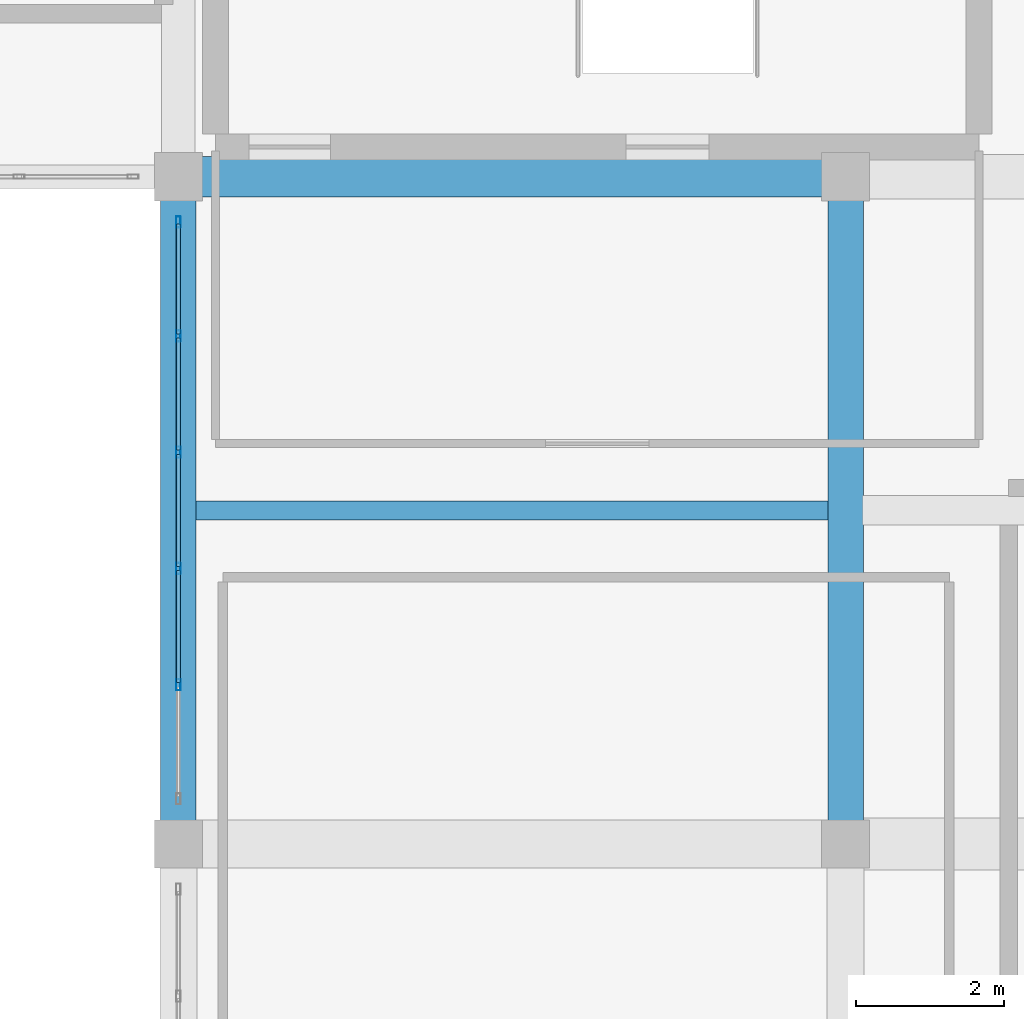
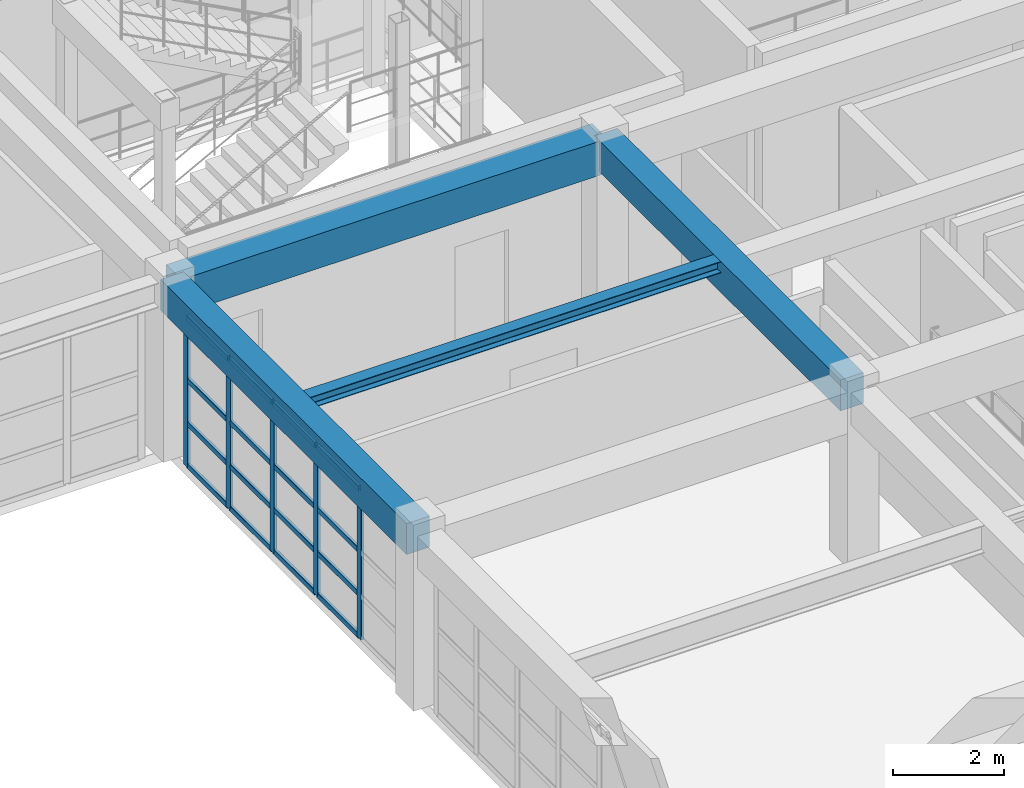
# One storey, part 69 of 110: 21 members, 4 beams, 1 element without a shape of its own.
"""IFC4 building model written with IfcOpenShell, lengths in metres."""

from ifc_helpers import new_model, si_unit, direction, frame, origin, origin_2d, place, context, subcontext, project, spatial, rectangle, hollow_rectangle, i_section, extrude, material, material_profile, profile_set, type_object, element, aggregate, save


model = new_model("IFC4")

# Units and contexts
model_context = context("Model", 3, precision=1e-05, world=origin(), true_north=direction((0.0, 1.0)))
body_context = subcontext(model_context, "Body", "Model", "MODEL_VIEW")
ifc_project = project(units=[si_unit("LENGTHUNIT", "METRE"), si_unit("AREAUNIT", "SQUARE_METRE"), si_unit("VOLUMEUNIT", "CUBIC_METRE"), si_unit("PLANEANGLEUNIT", "RADIAN"), si_unit("MASSUNIT", "GRAM", prefix="KILO")], contexts=[model_context])

# Site, building, storey
site_placement = place(None, origin())
site = spatial("IfcSite", under=ifc_project, at=site_placement, CompositionType="ELEMENT")
building_placement = place(site_placement, origin())
building = spatial("IfcBuilding", under=site, at=building_placement, Name="Miravela Opera House", CompositionType="ELEMENT")
storey_placement = place(building_placement, frame((0.0, 0.0, 13.60009765625)))
storey = spatial("IfcBuildingStorey", under=building, at=storey_placement, Name="L03", CompositionType="ELEMENT", Elevation=13.60009765625)

# Curtain wall, members
ifc_material_1 = material(Name="Anodised architectural bronze aluminium 6063-T6", Category="aluminium")
curtain_wall_type = type_object("IfcCurtainWallType", Name="ARC-CW-05", PredefinedType="NOTDEFINED", material=ifc_material_1)
curtain_wall_placement = place(storey_placement, origin())
curtain_wall = element("IfcCurtainWall", 1, at=curtain_wall_placement, inside=storey, type_object=curtain_wall_type, Name="Courtyard Arcade Curtain Wall CW-L03-112", PredefinedType="NOTDEFINED")
ifc_material_profile_1 = material_profile(ifc_material_1, hollow_rectangle(XDim=0.06005859375, YDim=0.14990234375, WallThickness=0.00390625, InnerFilletRadius=0.001953125, OuterFilletRadius=0.00390625, at=origin_2d()), Name="CWM-60X150")
ifc_profile_set_1 = profile_set([ifc_material_profile_1])
member_type_1 = type_object("IfcMemberType", Name="ARC-CWM-150", PredefinedType="MULLION", material=ifc_profile_set_1)
member_1_placement = place(storey_placement, frame((63.0, 96.14794921875, 0.0), z_axis=(0.0, 0.0, 1.0), x_axis=(-1.0, 0.0, 0.0)))
member_1 = element("IfcMember", 2, at=member_1_placement, type_object=member_type_1, Name="CW-05 mullion 2", PredefinedType="MULLION", context=body_context, shape_type="SweptSolid", body=[
    extrude(hollow_rectangle(XDim=0.06005859375, YDim=0.14990234375, WallThickness=0.00390625, InnerFilletRadius=0.001953125, OuterFilletRadius=0.00390625, at=origin_2d()), origin(), (0.0, 0.0, 1.0), 3.289794921875),
])
member_2_placement = place(storey_placement, frame((63.0, 97.716064453125, 0.0), z_axis=(0.0, 0.0, 1.0), x_axis=(-1.0, 0.0, 0.0)))
member_2 = element("IfcMember", 3, at=member_2_placement, type_object=member_type_1, Name="CW-05 mullion 3", PredefinedType="MULLION", context=body_context, shape_type="SweptSolid", body=[
    extrude(hollow_rectangle(XDim=0.06005859375, YDim=0.14990234375, WallThickness=0.00390625, InnerFilletRadius=0.001953125, OuterFilletRadius=0.00390625, at=origin_2d()), origin(), (0.0, 0.0, 1.0), 3.289794921875),
])
member_3_placement = place(storey_placement, frame((63.0, 99.283935546875, 0.0), z_axis=(0.0, 0.0, 1.0), x_axis=(-1.0, 0.0, 0.0)))
member_3 = element("IfcMember", 4, at=member_3_placement, type_object=member_type_1, Name="CW-05 mullion 4", PredefinedType="MULLION", context=body_context, shape_type="SweptSolid", body=[
    extrude(hollow_rectangle(XDim=0.06005859375, YDim=0.14990234375, WallThickness=0.00390625, InnerFilletRadius=0.001953125, OuterFilletRadius=0.00390625, at=origin_2d()), origin(), (0.0, 0.0, 1.0), 3.289794921875),
])
member_4_placement = place(storey_placement, frame((63.0, 100.85205078125, 0.0), z_axis=(0.0, 0.0, 1.0), x_axis=(-1.0, 0.0, 0.0)))
member_4 = element("IfcMember", 5, at=member_4_placement, type_object=member_type_1, Name="CW-05 mullion 5", PredefinedType="MULLION", context=body_context, shape_type="SweptSolid", body=[
    extrude(hollow_rectangle(XDim=0.06005859375, YDim=0.14990234375, WallThickness=0.00390625, InnerFilletRadius=0.001953125, OuterFilletRadius=0.00390625, at=origin_2d()), origin(), (0.0, 0.0, 1.0), 3.289794921875),
])
member_5_placement = place(storey_placement, frame((63.0, 102.389892578125, 0.0), z_axis=(0.0, 0.0, 1.0), x_axis=(-1.0, 0.0, 0.0)))
member_5 = element("IfcMember", 6, at=member_5_placement, type_object=member_type_1, Name="CW-05 mullion 6", PredefinedType="MULLION", context=body_context, shape_type="SweptSolid", body=[
    extrude(hollow_rectangle(XDim=0.06005859375, YDim=0.14990234375, WallThickness=0.00390625, InnerFilletRadius=0.001953125, OuterFilletRadius=0.00390625, at=origin_2d()), origin(), (0.0, 0.0, 1.0), 3.289794921875),
])
ifc_material_profile_2 = material_profile(ifc_material_1, hollow_rectangle(XDim=0.06005859375, YDim=0.114990234375, WallThickness=0.00390625, InnerFilletRadius=0.001953125, OuterFilletRadius=0.00390625, at=origin_2d()), Name="CWT-60X115")
ifc_profile_set_2 = profile_set([ifc_material_profile_2])
member_type_2 = type_object("IfcMemberType", Name="ARC-CWT-115", PredefinedType="USERDEFINED", material=ifc_profile_set_2)
member_6_placement = place(storey_placement, frame((63.0, 96.177978515625, 0.02978515625), z_axis=(0.0, 1.0, 0.0), x_axis=(-1.0, 0.0, 0.0)))
member_6 = element("IfcMember", 7, at=member_6_placement, type_object=member_type_2, Name="CW-05 transom 2.1", ObjectType="TRANSOM", PredefinedType="USERDEFINED", context=body_context, shape_type="SweptSolid", body=[
    extrude(hollow_rectangle(XDim=0.06005859375, YDim=0.114990234375, WallThickness=0.00390625, InnerFilletRadius=0.001953125, OuterFilletRadius=0.00390625, at=origin_2d()), origin(), (0.0, 0.0, 1.0), 1.508056640625),
])
member_7_placement = place(storey_placement, frame((63.0, 96.177978515625, 0.949951171875), z_axis=(0.0, 1.0, 0.0), x_axis=(-1.0, 0.0, 0.0)))
member_7 = element("IfcMember", 8, at=member_7_placement, type_object=member_type_2, Name="CW-05 transom 2.2", ObjectType="TRANSOM", PredefinedType="USERDEFINED", context=body_context, shape_type="SweptSolid", body=[
    extrude(hollow_rectangle(XDim=0.06005859375, YDim=0.114990234375, WallThickness=0.00390625, InnerFilletRadius=0.001953125, OuterFilletRadius=0.00390625, at=origin_2d()), origin(), (0.0, 0.0, 1.0), 1.508056640625),
])
member_8_placement = place(storey_placement, frame((63.0, 96.177978515625, 1.908203125), z_axis=(0.0, 1.0, 0.0), x_axis=(-1.0, 0.0, 0.0)))
member_8 = element("IfcMember", 9, at=member_8_placement, type_object=member_type_2, Name="CW-05 transom 2.3", ObjectType="TRANSOM", PredefinedType="USERDEFINED", context=body_context, shape_type="SweptSolid", body=[
    extrude(hollow_rectangle(XDim=0.06005859375, YDim=0.114990234375, WallThickness=0.00390625, InnerFilletRadius=0.001953125, OuterFilletRadius=0.00390625, at=origin_2d()), origin(), (0.0, 0.0, 1.0), 1.508056640625),
])
member_9_placement = place(storey_placement, frame((63.0, 96.177978515625, 3.260009765625), z_axis=(0.0, 1.0, 0.0), x_axis=(-1.0, 0.0, 0.0)))
member_9 = element("IfcMember", 10, at=member_9_placement, type_object=member_type_2, Name="CW-05 transom 2.4", ObjectType="TRANSOM", PredefinedType="USERDEFINED", context=body_context, shape_type="SweptSolid", body=[
    extrude(hollow_rectangle(XDim=0.06005859375, YDim=0.114990234375, WallThickness=0.00390625, InnerFilletRadius=0.001953125, OuterFilletRadius=0.00390625, at=origin_2d()), origin(), (0.0, 0.0, 1.0), 1.508056640625),
])
member_10_placement = place(storey_placement, frame((63.0, 97.74609375, 0.02978515625), z_axis=(0.0, 1.0, 0.0), x_axis=(-1.0, 0.0, 0.0)))
member_10 = element("IfcMember", 11, at=member_10_placement, type_object=member_type_2, Name="CW-05 transom 3.1", ObjectType="TRANSOM", PredefinedType="USERDEFINED", context=body_context, shape_type="SweptSolid", body=[
    extrude(hollow_rectangle(XDim=0.06005859375, YDim=0.114990234375, WallThickness=0.00390625, InnerFilletRadius=0.001953125, OuterFilletRadius=0.00390625, at=origin_2d()), origin(), (0.0, 0.0, 1.0), 1.5078125),
])
member_11_placement = place(storey_placement, frame((63.0, 97.74609375, 0.949951171875), z_axis=(0.0, 1.0, 0.0), x_axis=(-1.0, 0.0, 0.0)))
member_11 = element("IfcMember", 12, at=member_11_placement, type_object=member_type_2, Name="CW-05 transom 3.2", ObjectType="TRANSOM", PredefinedType="USERDEFINED", context=body_context, shape_type="SweptSolid", body=[
    extrude(hollow_rectangle(XDim=0.06005859375, YDim=0.114990234375, WallThickness=0.00390625, InnerFilletRadius=0.001953125, OuterFilletRadius=0.00390625, at=origin_2d()), origin(), (0.0, 0.0, 1.0), 1.5078125),
])
member_12_placement = place(storey_placement, frame((63.0, 97.74609375, 1.908203125), z_axis=(0.0, 1.0, 0.0), x_axis=(-1.0, 0.0, 0.0)))
member_12 = element("IfcMember", 13, at=member_12_placement, type_object=member_type_2, Name="CW-05 transom 3.3", ObjectType="TRANSOM", PredefinedType="USERDEFINED", context=body_context, shape_type="SweptSolid", body=[
    extrude(hollow_rectangle(XDim=0.06005859375, YDim=0.114990234375, WallThickness=0.00390625, InnerFilletRadius=0.001953125, OuterFilletRadius=0.00390625, at=origin_2d()), origin(), (0.0, 0.0, 1.0), 1.5078125),
])
member_13_placement = place(storey_placement, frame((63.0, 97.74609375, 3.260009765625), z_axis=(0.0, 1.0, 0.0), x_axis=(-1.0, 0.0, 0.0)))
member_13 = element("IfcMember", 14, at=member_13_placement, type_object=member_type_2, Name="CW-05 transom 3.4", ObjectType="TRANSOM", PredefinedType="USERDEFINED", context=body_context, shape_type="SweptSolid", body=[
    extrude(hollow_rectangle(XDim=0.06005859375, YDim=0.114990234375, WallThickness=0.00390625, InnerFilletRadius=0.001953125, OuterFilletRadius=0.00390625, at=origin_2d()), origin(), (0.0, 0.0, 1.0), 1.5078125),
])
member_14_placement = place(storey_placement, frame((63.0, 99.31396484375, 0.02978515625), z_axis=(0.0, 1.0, 0.0), x_axis=(-1.0, 0.0, 0.0)))
member_14 = element("IfcMember", 15, at=member_14_placement, type_object=member_type_2, Name="CW-05 transom 4.1", ObjectType="TRANSOM", PredefinedType="USERDEFINED", context=body_context, shape_type="SweptSolid", body=[
    extrude(hollow_rectangle(XDim=0.06005859375, YDim=0.114990234375, WallThickness=0.00390625, InnerFilletRadius=0.001953125, OuterFilletRadius=0.00390625, at=origin_2d()), origin(), (0.0, 0.0, 1.0), 1.508056640625),
])
member_15_placement = place(storey_placement, frame((63.0, 99.31396484375, 0.949951171875), z_axis=(0.0, 1.0, 0.0), x_axis=(-1.0, 0.0, 0.0)))
member_15 = element("IfcMember", 16, at=member_15_placement, type_object=member_type_2, Name="CW-05 transom 4.2", ObjectType="TRANSOM", PredefinedType="USERDEFINED", context=body_context, shape_type="SweptSolid", body=[
    extrude(hollow_rectangle(XDim=0.06005859375, YDim=0.114990234375, WallThickness=0.00390625, InnerFilletRadius=0.001953125, OuterFilletRadius=0.00390625, at=origin_2d()), origin(), (0.0, 0.0, 1.0), 1.508056640625),
])
member_16_placement = place(storey_placement, frame((63.0, 99.31396484375, 1.908203125), z_axis=(0.0, 1.0, 0.0), x_axis=(-1.0, 0.0, 0.0)))
member_16 = element("IfcMember", 17, at=member_16_placement, type_object=member_type_2, Name="CW-05 transom 4.3", ObjectType="TRANSOM", PredefinedType="USERDEFINED", context=body_context, shape_type="SweptSolid", body=[
    extrude(hollow_rectangle(XDim=0.06005859375, YDim=0.114990234375, WallThickness=0.00390625, InnerFilletRadius=0.001953125, OuterFilletRadius=0.00390625, at=origin_2d()), origin(), (0.0, 0.0, 1.0), 1.508056640625),
])
member_17_placement = place(storey_placement, frame((63.0, 99.31396484375, 3.260009765625), z_axis=(0.0, 1.0, 0.0), x_axis=(-1.0, 0.0, 0.0)))
member_17 = element("IfcMember", 18, at=member_17_placement, type_object=member_type_2, Name="CW-05 transom 4.4", ObjectType="TRANSOM", PredefinedType="USERDEFINED", context=body_context, shape_type="SweptSolid", body=[
    extrude(hollow_rectangle(XDim=0.06005859375, YDim=0.114990234375, WallThickness=0.00390625, InnerFilletRadius=0.001953125, OuterFilletRadius=0.00390625, at=origin_2d()), origin(), (0.0, 0.0, 1.0), 1.508056640625),
])
member_18_placement = place(storey_placement, frame((63.0, 100.882080078125, 0.02978515625), z_axis=(0.0, 1.0, 0.0), x_axis=(-1.0, 0.0, 0.0)))
member_18 = element("IfcMember", 19, at=member_18_placement, type_object=member_type_2, Name="CW-05 transom 5.1", ObjectType="TRANSOM", PredefinedType="USERDEFINED", context=body_context, shape_type="SweptSolid", body=[
    extrude(hollow_rectangle(XDim=0.06005859375, YDim=0.114990234375, WallThickness=0.00390625, InnerFilletRadius=0.001953125, OuterFilletRadius=0.00390625, at=origin_2d()), origin(), (0.0, 0.0, 1.0), 1.47802734375),
])
member_19_placement = place(storey_placement, frame((63.0, 100.882080078125, 0.949951171875), z_axis=(0.0, 1.0, 0.0), x_axis=(-1.0, 0.0, 0.0)))
member_19 = element("IfcMember", 20, at=member_19_placement, type_object=member_type_2, Name="CW-05 transom 5.2", ObjectType="TRANSOM", PredefinedType="USERDEFINED", context=body_context, shape_type="SweptSolid", body=[
    extrude(hollow_rectangle(XDim=0.06005859375, YDim=0.114990234375, WallThickness=0.00390625, InnerFilletRadius=0.001953125, OuterFilletRadius=0.00390625, at=origin_2d()), origin(), (0.0, 0.0, 1.0), 1.47802734375),
])
member_20_placement = place(storey_placement, frame((63.0, 100.882080078125, 1.908203125), z_axis=(0.0, 1.0, 0.0), x_axis=(-1.0, 0.0, 0.0)))
member_20 = element("IfcMember", 21, at=member_20_placement, type_object=member_type_2, Name="CW-05 transom 5.3", ObjectType="TRANSOM", PredefinedType="USERDEFINED", context=body_context, shape_type="SweptSolid", body=[
    extrude(hollow_rectangle(XDim=0.06005859375, YDim=0.114990234375, WallThickness=0.00390625, InnerFilletRadius=0.001953125, OuterFilletRadius=0.00390625, at=origin_2d()), origin(), (0.0, 0.0, 1.0), 1.47802734375),
])
member_21_placement = place(storey_placement, frame((63.0, 100.882080078125, 3.260009765625), z_axis=(0.0, 1.0, 0.0), x_axis=(-1.0, 0.0, 0.0)))
member_21 = element("IfcMember", 22, at=member_21_placement, type_object=member_type_2, Name="CW-05 transom 5.4", ObjectType="TRANSOM", PredefinedType="USERDEFINED", context=body_context, shape_type="SweptSolid", body=[
    extrude(hollow_rectangle(XDim=0.06005859375, YDim=0.114990234375, WallThickness=0.00390625, InnerFilletRadius=0.001953125, OuterFilletRadius=0.00390625, at=origin_2d()), origin(), (0.0, 0.0, 1.0), 1.47802734375),
])
aggregate(curtain_wall, [member_1, member_2, member_3, member_4, member_5, member_6, member_7, member_8, member_9, member_10, member_11, member_12, member_13, member_14, member_15, member_16, member_17, member_18, member_19, member_20, member_21])

# Beams
ifc_material_2 = material(Name="Concrete C35/45", Category="concrete")
ifc_material_profile_3 = material_profile(ifc_material_2, rectangle(XDim=0.47998046875, YDim=0.679931640625, at=origin_2d()), Name="RC-BM-480X680")
ifc_profile_set_3 = profile_set([ifc_material_profile_3])
beam_type_1 = type_object("IfcBeamType", Name="STR-BM-RC480X680", PredefinedType="BEAM", material=ifc_profile_set_3)
for number, where, z_axis, x_axis, name in (
    (23, (63.0, 94.080078125, 3.5), (0.0, 1.0, 0.0), (-1.0, 0.0, 0.0), "Floor Girder L03 8/K-L"),
    (24, (72.0, 94.080078125, 3.5), (0.0, 1.0, 0.0), (-1.0, 0.0, 0.0), "Floor Girder L03 9/K-L"),
):
    element("IfcBeam", number, at=place(storey_placement, frame(where, z_axis=z_axis, x_axis=x_axis)), inside=storey, type_object=beam_type_1, Name=name, PredefinedType="BEAM", context=body_context, shape_type="SweptSolid", body=[
        extrude(rectangle(XDim=0.47998046875, YDim=0.679931640625, at=origin_2d()), origin(), (0.0, 0.0, 1.0), 8.83984375),
    ])
ifc_material_profile_4 = material_profile(ifc_material_2, rectangle(XDim=0.550048828125, YDim=0.75, at=origin_2d()), Name="RC-BM-550X750")
ifc_profile_set_4 = profile_set([ifc_material_profile_4])
beam_type_2 = type_object("IfcBeamType", Name="STR-BM-RC550X750", PredefinedType="BEAM", material=ifc_profile_set_4)
beam_1_placement = place(storey_placement, frame((63.080078125, 103.0, 3.46484375), z_axis=(1.0, 0.0, 0.0), x_axis=(0.0, 1.0, 0.0)))
element("IfcBeam", 25, at=beam_1_placement, inside=storey, type_object=beam_type_2, Name="Floor Girder L03 8-9/L", PredefinedType="BEAM", context=body_context, shape_type="SweptSolid", body=[
    extrude(rectangle(XDim=0.550048828125, YDim=0.75, at=origin_2d()), origin(), (0.0, 0.0, 1.0), 8.83984375),
])
ifc_material_3 = material(Name="Structural steel ASTM A992 Gr. 50", Category="steel")
ifc_material_profile_5 = material_profile(ifc_material_3, i_section(OverallWidth=0.25390625, OverallDepth=0.2529296875, WebThickness=0.008544921875, FlangeThickness=0.01416015625, FilletRadius=0.011962890625, at=origin_2d()), Name="W250X73")
ifc_profile_set_5 = profile_set([ifc_material_profile_5])
beam_type_3 = type_object("IfcBeamType", Name="STR-BM-W250X73", PredefinedType="JOIST", material=ifc_profile_set_5)
beam_2_placement = place(storey_placement, frame((63.22509765625, 98.5, 3.71337890625), z_axis=(1.0, 0.0, 0.0), x_axis=(0.0, 1.0, 0.0)))
element("IfcBeam", 26, at=beam_2_placement, inside=storey, type_object=beam_type_3, Name="Secondary Floor Joist L03 8-9/K-L", PredefinedType="JOIST", context=body_context, shape_type="SweptSolid", body=[
    extrude(i_section(OverallWidth=0.25390625, OverallDepth=0.2529296875, WebThickness=0.008544921875, FlangeThickness=0.01416015625, FilletRadius=0.011962890625, at=origin_2d()), origin(), (0.0, 0.0, 1.0), 8.5498046875),
])

save(model, "model.ifc")
